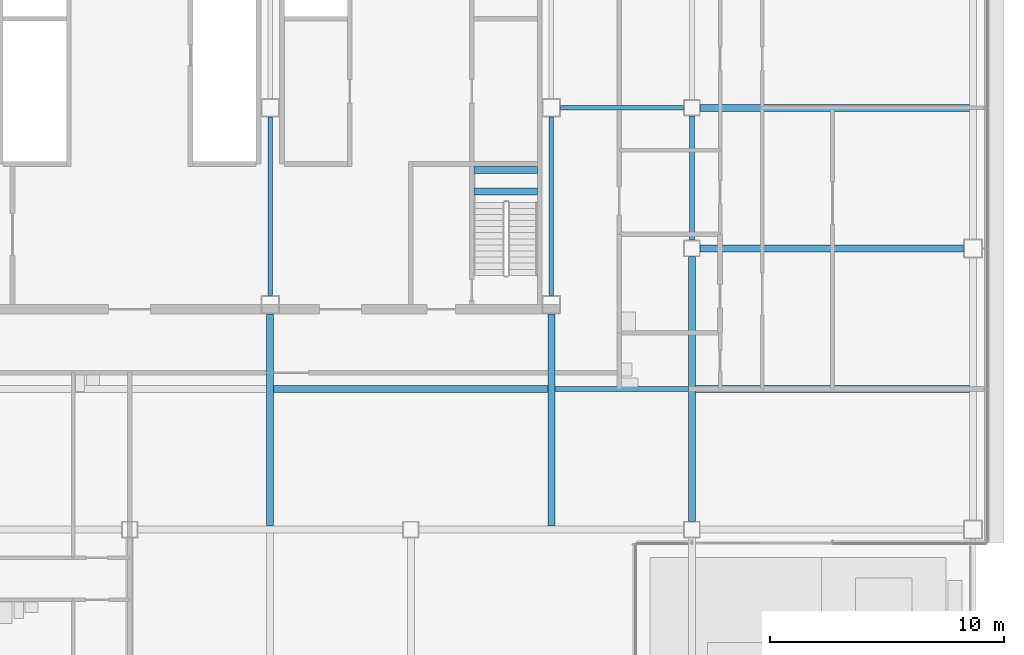
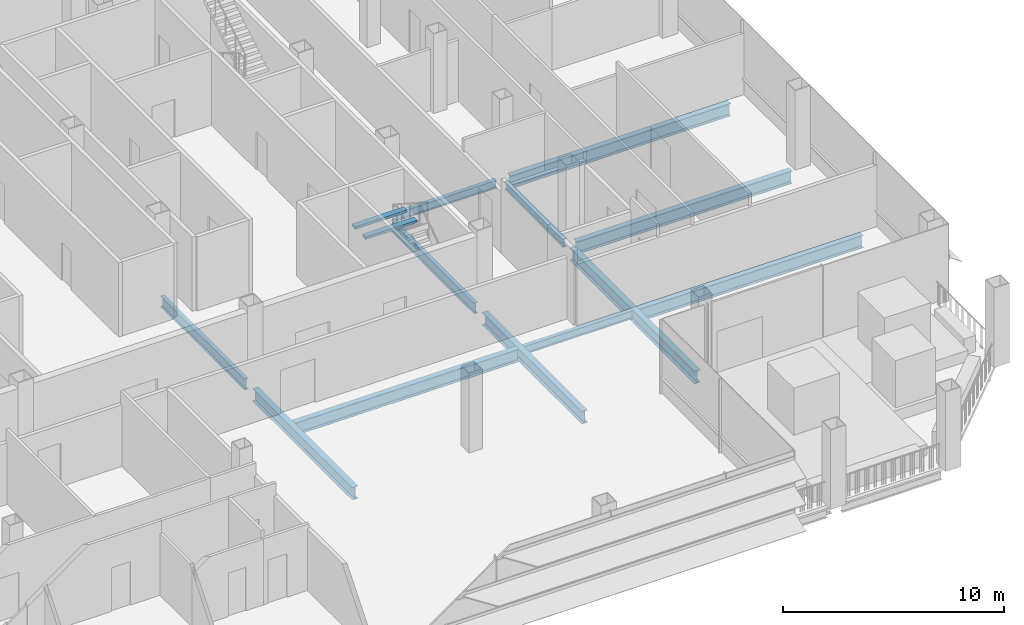
# One storey, part 10 of 28: 14 beams.
"""IFC4 building model written with IfcOpenShell, lengths in metres."""

from ifc_helpers import new_model, si_unit, direction, frame, origin, origin_2d, place, context, subcontext, project, spatial, rectangle, i_section, extrude, material, material_profile, profile_set, type_object, element, save


model = new_model("IFC4")

# Units and contexts
model_context = context("Model", 3, precision=1e-05, world=origin(), true_north=direction((0.0, 1.0)))
body_context = subcontext(model_context, "Body", "Model", "MODEL_VIEW")
ifc_project = project(units=[si_unit("LENGTHUNIT", "METRE"), si_unit("AREAUNIT", "SQUARE_METRE"), si_unit("VOLUMEUNIT", "CUBIC_METRE"), si_unit("PLANEANGLEUNIT", "RADIAN"), si_unit("MASSUNIT", "GRAM", prefix="KILO")], contexts=[model_context])

# Site, building, storey
site_placement = place(None, origin())
site = spatial("IfcSite", under=ifc_project, at=site_placement, CompositionType="ELEMENT")
building_placement = place(site_placement, origin())
building = spatial("IfcBuilding", under=site, at=building_placement, Name="Sorahane Residences", CompositionType="ELEMENT")
storey_placement = place(building_placement, frame((0.0, 0.0, 134.0)))
storey = spatial("IfcBuildingStorey", under=building, at=storey_placement, Name="L30", CompositionType="ELEMENT", Elevation=134.0)

# Beams
ifc_material_1 = material(Name="Concrete C40", Category="concrete")
ifc_material_profile_1 = material_profile(ifc_material_1, rectangle(XDim=0.300048828125, YDim=0.139892578125, at=origin_2d()), Name="300x140")
ifc_profile_set_1 = profile_set([ifc_material_profile_1], Name="Concrete C40")
beam_type_1 = type_object("IfcBeamType", Name="RC landing beam 300 x 140 Concrete C40", PredefinedType="BEAM", material=ifc_profile_set_1)
for number, where, z_axis, x_axis, name in (
    (1, (38.699951171875, 26.419921875, 1.929931640625), (1.0, 0.0, 0.0), (0.0, 1.0, 0.0), "Landing beam"),
    (2, (38.699951171875, 27.35009765625, 1.929931640625), (1.0, 0.0, 0.0), (0.0, 1.0, 0.0), "Landing beam"),
):
    element("IfcBeam", number, at=place(storey_placement, frame(where, z_axis=z_axis, x_axis=x_axis)), inside=storey, type_object=beam_type_1, Name=name, PredefinedType="BEAM", context=body_context, shape_type="SweptSolid", body=[
        extrude(rectangle(XDim=0.300048828125, YDim=0.139892578125, at=origin_2d()), origin(), (0.0, 0.0, 1.0), 2.699951171875),
    ])
ifc_material_2 = material(Name="Steel Q355B", Category="steel")
ifc_material_profile_2 = material_profile(ifc_material_2, i_section(OverallWidth=0.199951171875, OverallDepth=0.449951171875, WebThickness=0.009033203125, FlangeThickness=0.013916015625, FilletRadius=0.02001953125, at=origin_2d()), Name="HN 450x200x9x14")
ifc_profile_set_2 = profile_set([ifc_material_profile_2], Name="Steel Q355B")
beam_type_2 = type_object("IfcBeamType", Name="Steel floor beam HN 450x200x9x14 Q355B", PredefinedType="BEAM", material=ifc_profile_set_2)
beam_1_placement = place(storey_placement, frame((48.0, 24.35009765625, -0.405029296875), z_axis=(0.0, 1.0, 0.0), x_axis=(-1.0, 0.0, 0.0)))
element("IfcBeam", 3, at=beam_1_placement, inside=storey, type_object=beam_type_2, Name="Beam L30 059", PredefinedType="BEAM", context=body_context, shape_type="SweptSolid", body=[
    extrude(i_section(OverallWidth=0.199951171875, OverallDepth=0.449951171875, WebThickness=0.009033203125, FlangeThickness=0.013916015625, FilletRadius=0.02001953125, at=origin_2d()), origin(), (0.0, 0.0, 1.0), 5.2998046875),
])
beam_2_placement = place(storey_placement, frame((42.14990234375, 18.0, -0.405029296875), z_axis=(1.0, 0.0, 0.0), x_axis=(0.0, 1.0, 0.0)))
element("IfcBeam", 4, at=beam_2_placement, inside=storey, type_object=beam_type_2, Name="Beam L30 081", PredefinedType="BEAM", context=body_context, shape_type="SweptSolid", body=[
    extrude(i_section(OverallWidth=0.199951171875, OverallDepth=0.449951171875, WebThickness=0.009033203125, FlangeThickness=0.013916015625, FilletRadius=0.02001953125, at=origin_2d()), origin(), (0.0, 0.0, 1.0), 5.7001953125),
])
beam_3_placement = place(storey_placement, frame((42.39990234375, 30.0, -0.405029296875), z_axis=(1.0, 0.0, 0.0), x_axis=(0.0, 1.0, 0.0)))
element("IfcBeam", 5, at=beam_3_placement, inside=storey, type_object=beam_type_2, Name="Beam L30 085", PredefinedType="BEAM", context=body_context, shape_type="SweptSolid", body=[
    extrude(i_section(OverallWidth=0.199951171875, OverallDepth=0.449951171875, WebThickness=0.009033203125, FlangeThickness=0.013916015625, FilletRadius=0.02001953125, at=origin_2d()), origin(), (0.0, 0.0, 1.0), 5.25),
])
ifc_material_3 = material(Name="Steel Q355B", Category="steel")
ifc_material_profile_3 = material_profile(ifc_material_3, i_section(OverallWidth=0.199951171875, OverallDepth=0.60009765625, WebThickness=0.010986328125, FlangeThickness=0.01708984375, FilletRadius=0.02392578125, at=origin_2d()), Name="HN 600x200x11x17")
ifc_profile_set_3 = profile_set([ifc_material_profile_3], Name="Steel Q355B")
beam_type_3 = type_object("IfcBeamType", Name="Steel floor beam HN 600x200x11x17 Q355B", PredefinedType="BEAM", material=ifc_profile_set_3)
for number, where, z_axis, x_axis, name in (
    (6, (30.0, 22.0, -0.47998046875), (0.0, 1.0, 0.0), (-1.0, 0.0, 0.0), "Beam L30 046"),
    (7, (42.0, 22.0, -0.47998046875), (0.0, 1.0, 0.0), (-1.0, 0.0, 0.0), "Beam L30 053"),
):
    element("IfcBeam", number, at=place(storey_placement, frame(where, z_axis=z_axis, x_axis=x_axis)), inside=storey, type_object=beam_type_3, Name=name, PredefinedType="BEAM", context=body_context, shape_type="SweptSolid", body=[
        extrude(i_section(OverallWidth=0.199951171875, OverallDepth=0.60009765625, WebThickness=0.010986328125, FlangeThickness=0.01708984375, FilletRadius=0.02392578125, at=origin_2d()), origin(), (0.0, 0.0, 1.0), 7.60009765625),
    ])
ifc_material_4 = material(Name="Steel Q355B", Category="steel")
ifc_material_profile_4 = material_profile(ifc_material_4, i_section(OverallWidth=0.300048828125, OverallDepth=0.699951171875, WebThickness=0.012939453125, FlangeThickness=0.02392578125, FilletRadius=0.028076171875, at=origin_2d()), Name="HN 700x300x13x24")
ifc_profile_set_4 = profile_set([ifc_material_profile_4], Name="Steel Q355B")
beam_type_4 = type_object("IfcBeamType", Name="Steel floor beam HN 700x300x13x24 Q355B", PredefinedType="BEAM", material=ifc_profile_set_4)
beam_4_placement = place(storey_placement, frame((48.35009765625, 24.0, -0.530029296875), z_axis=(1.0, 0.0, 0.0), x_axis=(0.0, 1.0, 0.0)))
element("IfcBeam", 8, at=beam_4_placement, inside=storey, type_object=beam_type_4, Name="Beam L30 012", PredefinedType="BEAM", context=body_context, shape_type="SweptSolid", body=[
    extrude(i_section(OverallWidth=0.300048828125, OverallDepth=0.699951171875, WebThickness=0.012939453125, FlangeThickness=0.02392578125, FilletRadius=0.028076171875, at=origin_2d()), origin(), (0.0, 0.0, 1.0), 11.25),
])
for number, where, z_axis, x_axis, name in (
    (9, (30.0, 12.14990234375, -0.530029296875), (0.0, 1.0, 0.0), (-1.0, 0.0, 0.0), "Beam L30 045"),
    (10, (42.0, 12.14990234375, -0.530029296875), (0.0, 1.0, 0.0), (-1.0, 0.0, 0.0), "Beam L30 052"),
):
    element("IfcBeam", number, at=place(storey_placement, frame(where, z_axis=z_axis, x_axis=x_axis)), inside=storey, type_object=beam_type_4, Name=name, PredefinedType="BEAM", context=body_context, shape_type="SweptSolid", body=[
        extrude(i_section(OverallWidth=0.300048828125, OverallDepth=0.699951171875, WebThickness=0.012939453125, FlangeThickness=0.02392578125, FilletRadius=0.028076171875, at=origin_2d()), origin(), (0.0, 0.0, 1.0), 9.050048828125),
    ])
beam_5_placement = place(storey_placement, frame((48.0, 12.35009765625, -0.530029296875), z_axis=(0.0, 1.0, 0.0), x_axis=(-1.0, 0.0, 0.0)))
element("IfcBeam", 11, at=beam_5_placement, inside=storey, type_object=beam_type_4, Name="Beam L30 058", PredefinedType="BEAM", context=body_context, shape_type="SweptSolid", body=[
    extrude(i_section(OverallWidth=0.300048828125, OverallDepth=0.699951171875, WebThickness=0.012939453125, FlangeThickness=0.02392578125, FilletRadius=0.028076171875, at=origin_2d()), origin(), (0.0, 0.0, 1.0), 11.2998046875),
])
for number, where, z_axis, x_axis, name in (
    (12, (30.14990234375, 18.0, -0.530029296875), (1.0, 0.0, 0.0), (0.0, 1.0, 0.0), "Beam L30 080"),
    (13, (48.14990234375, 18.0, -0.530029296875), (1.0, 0.0, 0.0), (0.0, 1.0, 0.0), "Beam L30 082"),
):
    element("IfcBeam", number, at=place(storey_placement, frame(where, z_axis=z_axis, x_axis=x_axis)), inside=storey, type_object=beam_type_4, Name=name, PredefinedType="BEAM", context=body_context, shape_type="SweptSolid", body=[
        extrude(i_section(OverallWidth=0.300048828125, OverallDepth=0.699951171875, WebThickness=0.012939453125, FlangeThickness=0.02392578125, FilletRadius=0.028076171875, at=origin_2d()), origin(), (0.0, 0.0, 1.0), 11.7001953125),
    ])
beam_6_placement = place(storey_placement, frame((48.35009765625, 30.0, -0.530029296875), z_axis=(1.0, 0.0, 0.0), x_axis=(0.0, 1.0, 0.0)))
element("IfcBeam", 14, at=beam_6_placement, inside=storey, type_object=beam_type_4, Name="Beam L30 086", PredefinedType="BEAM", context=body_context, shape_type="SweptSolid", body=[
    extrude(i_section(OverallWidth=0.300048828125, OverallDepth=0.699951171875, WebThickness=0.012939453125, FlangeThickness=0.02392578125, FilletRadius=0.028076171875, at=origin_2d()), origin(), (0.0, 0.0, 1.0), 11.5),
])

save(model, "model.ifc")
